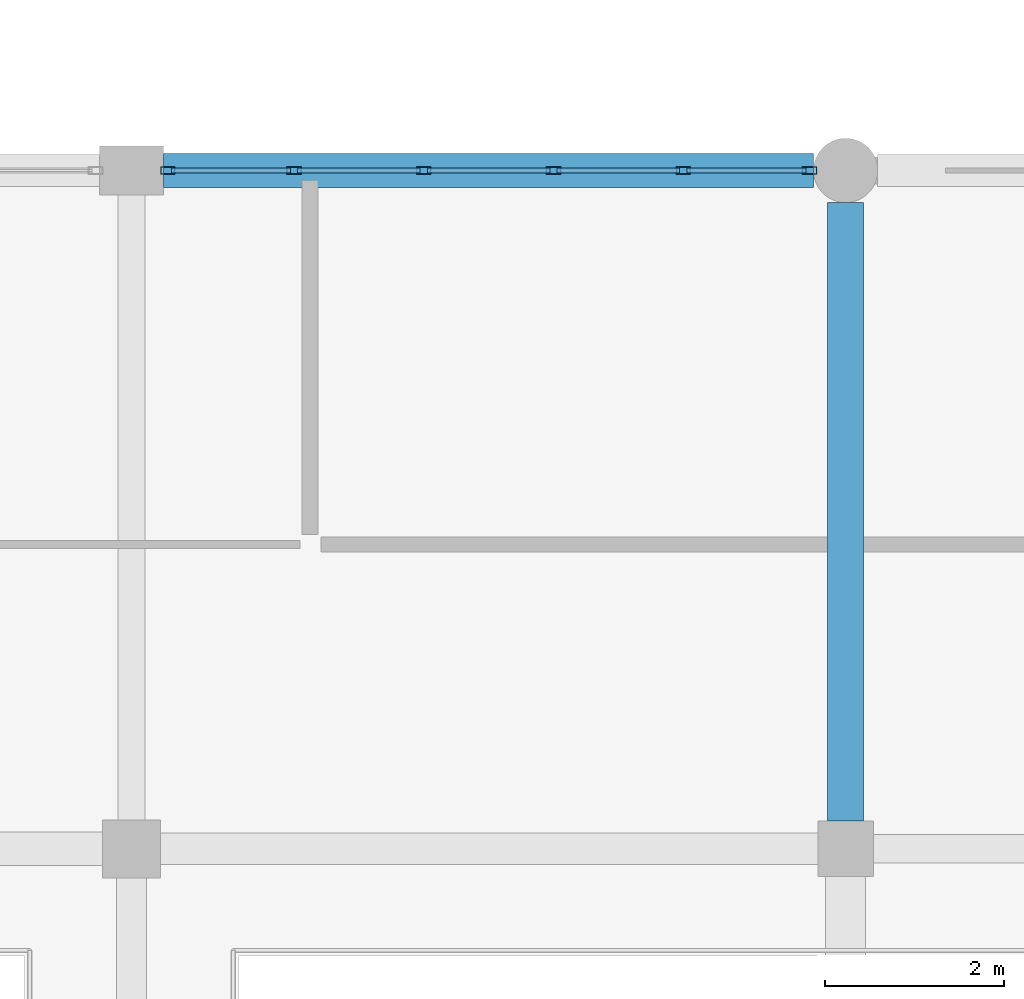
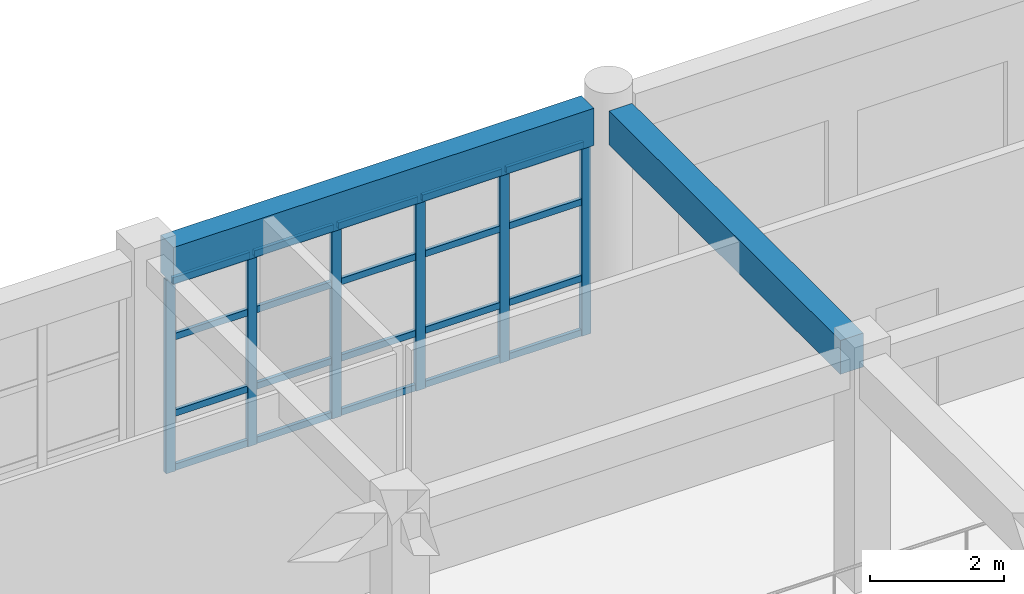
# One storey, part 44 of 160: 26 members, 2 beams, 1 element without a shape of its own.
"""IFC4 building model written with IfcOpenShell, lengths in metres."""

from ifc_helpers import new_model, si_unit, direction, frame, origin, origin_2d, place, context, subcontext, project, spatial, rectangle, hollow_rectangle, extrude, material, material_profile, profile_set, type_object, element, aggregate, save


model = new_model("IFC4")

# Units and contexts
model_context = context("Model", 3, precision=1e-05, world=origin(), true_north=direction((0.0, 1.0)))
body_context = subcontext(model_context, "Body", "Model", "MODEL_VIEW")
ifc_project = project(units=[si_unit("LENGTHUNIT", "METRE"), si_unit("AREAUNIT", "SQUARE_METRE"), si_unit("VOLUMEUNIT", "CUBIC_METRE"), si_unit("PLANEANGLEUNIT", "RADIAN"), si_unit("MASSUNIT", "GRAM", prefix="KILO")], contexts=[model_context])

# Site, building, storey
site_placement = place(None, origin())
site = spatial("IfcSite", under=ifc_project, at=site_placement, CompositionType="ELEMENT")
building_placement = place(site_placement, origin())
building = spatial("IfcBuilding", under=site, at=building_placement, Name="Kharva Crest Polytechnic", CompositionType="ELEMENT")
storey_placement = place(building_placement, frame((0.0, 0.0, 4.5)))
storey = spatial("IfcBuildingStorey", under=building, at=storey_placement, Name="L01", CompositionType="ELEMENT", Elevation=4.5)

# Beam
ifc_material_1 = material(Name="Concrete C35/45", Category="concrete")
ifc_material_profile_1 = material_profile(ifc_material_1, rectangle(XDim=0.39990234375, YDim=0.6201171875, at=origin_2d()), Name="RECT 400 X 620")
ifc_profile_set_1 = profile_set([ifc_material_profile_1], Name="Concrete C35/45")
beam_type_1 = type_object("IfcBeamType", Name="BM-RC-400X620", PredefinedType="BEAM", material=ifc_profile_set_1)
beam_1_placement = place(storey_placement, frame((24.0, 23.110107421875, 3.909912109375), z_axis=(0.0, 1.0, 0.0), x_axis=(-1.0, 0.0, 0.0)))
element("IfcBeam", 1, at=beam_1_placement, inside=storey, type_object=beam_type_1, Name="L01 Girder 4/D-E", PredefinedType="BEAM", context=body_context, shape_type="SweptSolid", body=[
    extrude(rectangle(XDim=0.39990234375, YDim=0.6201171875, at=origin_2d()), origin(), (0.0, 0.0, 1.0), 6.929931640625),
])

# Curtain wall, members
ifc_material_2 = material(Name="Tempered insulated glass", Category="glass")
curtain_wall_type = type_object("IfcCurtainWallType", Name="CW-SYS-COURT", PredefinedType="USERDEFINED", material=ifc_material_2)
curtain_wall_placement = place(storey_placement, origin())
curtain_wall = element("IfcCurtainWall", 2, at=curtain_wall_placement, inside=storey, type_object=curtain_wall_type, Name="L01 Glazed Curtain Wall CW-038", ObjectType="CURTAIN WALL", PredefinedType="USERDEFINED")
ifc_material_3 = material(Name="Steel S355", Category="steel")
ifc_material_profile_2 = material_profile(ifc_material_3, hollow_rectangle(XDim=0.080078125, YDim=0.159912109375, WallThickness=0.0048828125, at=origin_2d()), Name="RHS 160X80X5.0")
ifc_profile_set_2 = profile_set([ifc_material_profile_2], Name="Steel S355")
member_type_1 = type_object("IfcMemberType", Name="CWM-RHS160X80", PredefinedType="MULLION", material=ifc_profile_set_2)
member_1_placement = place(storey_placement, frame((23.594970703125, 30.39990234375, 0.0), z_axis=(0.0, 0.0, 1.0), x_axis=(0.0, -1.0, 0.0)))
member_1 = element("IfcMember", 3, at=member_1_placement, type_object=member_type_1, Name="CW-038 mullion 1", PredefinedType="MULLION", context=body_context, shape_type="SweptSolid", body=[
    extrude(hollow_rectangle(XDim=0.080078125, YDim=0.159912109375, WallThickness=0.0048828125, at=origin_2d()), origin(), (0.0, 0.0, 1.0), 3.5400390625),
])
member_2_placement = place(storey_placement, frame((22.180908203125, 30.39990234375, 0.0), z_axis=(0.0, 0.0, 1.0), x_axis=(0.0, -1.0, 0.0)))
member_2 = element("IfcMember", 4, at=member_2_placement, type_object=member_type_1, Name="CW-038 mullion 2", PredefinedType="MULLION", context=body_context, shape_type="SweptSolid", body=[
    extrude(hollow_rectangle(XDim=0.080078125, YDim=0.159912109375, WallThickness=0.0048828125, at=origin_2d()), origin(), (0.0, 0.0, 1.0), 3.5400390625),
])
member_3_placement = place(storey_placement, frame((20.72705078125, 30.39990234375, 0.0), z_axis=(0.0, 0.0, 1.0), x_axis=(0.0, -1.0, 0.0)))
member_3 = element("IfcMember", 5, at=member_3_placement, type_object=member_type_1, Name="CW-038 mullion 3", PredefinedType="MULLION", context=body_context, shape_type="SweptSolid", body=[
    extrude(hollow_rectangle(XDim=0.080078125, YDim=0.159912109375, WallThickness=0.0048828125, at=origin_2d()), origin(), (0.0, 0.0, 1.0), 3.5400390625),
])
member_4_placement = place(storey_placement, frame((19.27294921875, 30.39990234375, 0.0), z_axis=(0.0, 0.0, 1.0), x_axis=(0.0, -1.0, 0.0)))
member_4 = element("IfcMember", 6, at=member_4_placement, type_object=member_type_1, Name="CW-038 mullion 4", PredefinedType="MULLION", context=body_context, shape_type="SweptSolid", body=[
    extrude(hollow_rectangle(XDim=0.080078125, YDim=0.159912109375, WallThickness=0.0048828125, at=origin_2d()), origin(), (0.0, 0.0, 1.0), 3.5400390625),
])
member_5_placement = place(storey_placement, frame((17.819091796875, 30.39990234375, 0.0), z_axis=(0.0, 0.0, 1.0), x_axis=(0.0, -1.0, 0.0)))
member_5 = element("IfcMember", 7, at=member_5_placement, type_object=member_type_1, Name="CW-038 mullion 5", PredefinedType="MULLION", context=body_context, shape_type="SweptSolid", body=[
    extrude(hollow_rectangle(XDim=0.080078125, YDim=0.159912109375, WallThickness=0.0048828125, at=origin_2d()), origin(), (0.0, 0.0, 1.0), 3.5400390625),
])
member_6_placement = place(storey_placement, frame((16.405029296875, 30.39990234375, 0.0), z_axis=(0.0, 0.0, 1.0), x_axis=(0.0, -1.0, 0.0)))
member_6 = element("IfcMember", 8, at=member_6_placement, type_object=member_type_1, Name="CW-038 mullion 6", PredefinedType="MULLION", context=body_context, shape_type="SweptSolid", body=[
    extrude(hollow_rectangle(XDim=0.080078125, YDim=0.159912109375, WallThickness=0.0048828125, at=origin_2d()), origin(), (0.0, 0.0, 1.0), 3.5400390625),
])
ifc_material_profile_3 = material_profile(ifc_material_3, hollow_rectangle(XDim=0.06005859375, YDim=0.1201171875, WallThickness=0.00390625, at=origin_2d()), Name="RHS 120X60X4.0")
ifc_profile_set_3 = profile_set([ifc_material_profile_3], Name="Steel S355")
member_type_2 = type_object("IfcMemberType", Name="CWT-RHS120X60", PredefinedType="USERDEFINED", material=ifc_profile_set_3)
member_7_placement = place(storey_placement, frame((23.554931640625, 30.39990234375, 0.06005859375), z_axis=(-1.0, 0.0, 0.0), x_axis=(0.0, -1.0, 0.0)))
member_7 = element("IfcMember", 9, at=member_7_placement, type_object=member_type_2, Name="CW-038 transom 1.1", ObjectType="TRANSOM", PredefinedType="USERDEFINED", context=body_context, shape_type="SweptSolid", body=[
    extrude(hollow_rectangle(XDim=0.06005859375, YDim=0.1201171875, WallThickness=0.00390625, at=origin_2d()), origin(), (0.0, 0.0, 1.0), 1.333984375),
])
member_8_placement = place(storey_placement, frame((23.554931640625, 30.39990234375, 1.050048828125), z_axis=(-1.0, 0.0, 0.0), x_axis=(0.0, -1.0, 0.0)))
member_8 = element("IfcMember", 10, at=member_8_placement, type_object=member_type_2, Name="CW-038 transom 1.2", ObjectType="TRANSOM", PredefinedType="USERDEFINED", context=body_context, shape_type="SweptSolid", body=[
    extrude(hollow_rectangle(XDim=0.06005859375, YDim=0.1201171875, WallThickness=0.00390625, at=origin_2d()), origin(), (0.0, 0.0, 1.0), 1.333984375),
])
member_9_placement = place(storey_placement, frame((23.554931640625, 30.39990234375, 2.449951171875), z_axis=(-1.0, 0.0, 0.0), x_axis=(0.0, -1.0, 0.0)))
member_9 = element("IfcMember", 11, at=member_9_placement, type_object=member_type_2, Name="CW-038 transom 1.3", ObjectType="TRANSOM", PredefinedType="USERDEFINED", context=body_context, shape_type="SweptSolid", body=[
    extrude(hollow_rectangle(XDim=0.06005859375, YDim=0.1201171875, WallThickness=0.00390625, at=origin_2d()), origin(), (0.0, 0.0, 1.0), 1.333984375),
])
member_10_placement = place(storey_placement, frame((23.554931640625, 30.39990234375, 3.47998046875), z_axis=(-1.0, 0.0, 0.0), x_axis=(0.0, -1.0, 0.0)))
member_10 = element("IfcMember", 12, at=member_10_placement, type_object=member_type_2, Name="CW-038 transom 1.4", ObjectType="TRANSOM", PredefinedType="USERDEFINED", context=body_context, shape_type="SweptSolid", body=[
    extrude(hollow_rectangle(XDim=0.06005859375, YDim=0.1201171875, WallThickness=0.00390625, at=origin_2d()), origin(), (0.0, 0.0, 1.0), 1.333984375),
])
member_11_placement = place(storey_placement, frame((22.14111328125, 30.39990234375, 0.06005859375), z_axis=(-1.0, 0.0, 0.0), x_axis=(0.0, -1.0, 0.0)))
member_11 = element("IfcMember", 13, at=member_11_placement, type_object=member_type_2, Name="CW-038 transom 2.1", ObjectType="TRANSOM", PredefinedType="USERDEFINED", context=body_context, shape_type="SweptSolid", body=[
    extrude(hollow_rectangle(XDim=0.06005859375, YDim=0.1201171875, WallThickness=0.00390625, at=origin_2d()), origin(), (0.0, 0.0, 1.0), 1.3740234375),
])
member_12_placement = place(storey_placement, frame((22.14111328125, 30.39990234375, 1.050048828125), z_axis=(-1.0, 0.0, 0.0), x_axis=(0.0, -1.0, 0.0)))
member_12 = element("IfcMember", 14, at=member_12_placement, type_object=member_type_2, Name="CW-038 transom 2.2", ObjectType="TRANSOM", PredefinedType="USERDEFINED", context=body_context, shape_type="SweptSolid", body=[
    extrude(hollow_rectangle(XDim=0.06005859375, YDim=0.1201171875, WallThickness=0.00390625, at=origin_2d()), origin(), (0.0, 0.0, 1.0), 1.3740234375),
])
member_13_placement = place(storey_placement, frame((22.14111328125, 30.39990234375, 2.449951171875), z_axis=(-1.0, 0.0, 0.0), x_axis=(0.0, -1.0, 0.0)))
member_13 = element("IfcMember", 15, at=member_13_placement, type_object=member_type_2, Name="CW-038 transom 2.3", ObjectType="TRANSOM", PredefinedType="USERDEFINED", context=body_context, shape_type="SweptSolid", body=[
    extrude(hollow_rectangle(XDim=0.06005859375, YDim=0.1201171875, WallThickness=0.00390625, at=origin_2d()), origin(), (0.0, 0.0, 1.0), 1.3740234375),
])
member_14_placement = place(storey_placement, frame((22.14111328125, 30.39990234375, 3.47998046875), z_axis=(-1.0, 0.0, 0.0), x_axis=(0.0, -1.0, 0.0)))
member_14 = element("IfcMember", 16, at=member_14_placement, type_object=member_type_2, Name="CW-038 transom 2.4", ObjectType="TRANSOM", PredefinedType="USERDEFINED", context=body_context, shape_type="SweptSolid", body=[
    extrude(hollow_rectangle(XDim=0.06005859375, YDim=0.1201171875, WallThickness=0.00390625, at=origin_2d()), origin(), (0.0, 0.0, 1.0), 1.3740234375),
])
member_15_placement = place(storey_placement, frame((20.68701171875, 30.39990234375, 0.06005859375), z_axis=(-1.0, 0.0, 0.0), x_axis=(0.0, -1.0, 0.0)))
member_15 = element("IfcMember", 17, at=member_15_placement, type_object=member_type_2, Name="CW-038 transom 3.1", ObjectType="TRANSOM", PredefinedType="USERDEFINED", context=body_context, shape_type="SweptSolid", body=[
    extrude(hollow_rectangle(XDim=0.06005859375, YDim=0.1201171875, WallThickness=0.00390625, at=origin_2d()), origin(), (0.0, 0.0, 1.0), 1.3740234375),
])
member_16_placement = place(storey_placement, frame((20.68701171875, 30.39990234375, 1.050048828125), z_axis=(-1.0, 0.0, 0.0), x_axis=(0.0, -1.0, 0.0)))
member_16 = element("IfcMember", 18, at=member_16_placement, type_object=member_type_2, Name="CW-038 transom 3.2", ObjectType="TRANSOM", PredefinedType="USERDEFINED", context=body_context, shape_type="SweptSolid", body=[
    extrude(hollow_rectangle(XDim=0.06005859375, YDim=0.1201171875, WallThickness=0.00390625, at=origin_2d()), origin(), (0.0, 0.0, 1.0), 1.3740234375),
])
member_17_placement = place(storey_placement, frame((20.68701171875, 30.39990234375, 2.449951171875), z_axis=(-1.0, 0.0, 0.0), x_axis=(0.0, -1.0, 0.0)))
member_17 = element("IfcMember", 19, at=member_17_placement, type_object=member_type_2, Name="CW-038 transom 3.3", ObjectType="TRANSOM", PredefinedType="USERDEFINED", context=body_context, shape_type="SweptSolid", body=[
    extrude(hollow_rectangle(XDim=0.06005859375, YDim=0.1201171875, WallThickness=0.00390625, at=origin_2d()), origin(), (0.0, 0.0, 1.0), 1.3740234375),
])
member_18_placement = place(storey_placement, frame((20.68701171875, 30.39990234375, 3.47998046875), z_axis=(-1.0, 0.0, 0.0), x_axis=(0.0, -1.0, 0.0)))
member_18 = element("IfcMember", 20, at=member_18_placement, type_object=member_type_2, Name="CW-038 transom 3.4", ObjectType="TRANSOM", PredefinedType="USERDEFINED", context=body_context, shape_type="SweptSolid", body=[
    extrude(hollow_rectangle(XDim=0.06005859375, YDim=0.1201171875, WallThickness=0.00390625, at=origin_2d()), origin(), (0.0, 0.0, 1.0), 1.3740234375),
])
member_19_placement = place(storey_placement, frame((19.23291015625, 30.39990234375, 0.06005859375), z_axis=(-1.0, 0.0, 0.0), x_axis=(0.0, -1.0, 0.0)))
member_19 = element("IfcMember", 21, at=member_19_placement, type_object=member_type_2, Name="CW-038 transom 4.1", ObjectType="TRANSOM", PredefinedType="USERDEFINED", context=body_context, shape_type="SweptSolid", body=[
    extrude(hollow_rectangle(XDim=0.06005859375, YDim=0.1201171875, WallThickness=0.00390625, at=origin_2d()), origin(), (0.0, 0.0, 1.0), 1.3740234375),
])
member_20_placement = place(storey_placement, frame((19.23291015625, 30.39990234375, 1.050048828125), z_axis=(-1.0, 0.0, 0.0), x_axis=(0.0, -1.0, 0.0)))
member_20 = element("IfcMember", 22, at=member_20_placement, type_object=member_type_2, Name="CW-038 transom 4.2", ObjectType="TRANSOM", PredefinedType="USERDEFINED", context=body_context, shape_type="SweptSolid", body=[
    extrude(hollow_rectangle(XDim=0.06005859375, YDim=0.1201171875, WallThickness=0.00390625, at=origin_2d()), origin(), (0.0, 0.0, 1.0), 1.3740234375),
])
member_21_placement = place(storey_placement, frame((19.23291015625, 30.39990234375, 2.449951171875), z_axis=(-1.0, 0.0, 0.0), x_axis=(0.0, -1.0, 0.0)))
member_21 = element("IfcMember", 23, at=member_21_placement, type_object=member_type_2, Name="CW-038 transom 4.3", ObjectType="TRANSOM", PredefinedType="USERDEFINED", context=body_context, shape_type="SweptSolid", body=[
    extrude(hollow_rectangle(XDim=0.06005859375, YDim=0.1201171875, WallThickness=0.00390625, at=origin_2d()), origin(), (0.0, 0.0, 1.0), 1.3740234375),
])
member_22_placement = place(storey_placement, frame((19.23291015625, 30.39990234375, 3.47998046875), z_axis=(-1.0, 0.0, 0.0), x_axis=(0.0, -1.0, 0.0)))
member_22 = element("IfcMember", 24, at=member_22_placement, type_object=member_type_2, Name="CW-038 transom 4.4", ObjectType="TRANSOM", PredefinedType="USERDEFINED", context=body_context, shape_type="SweptSolid", body=[
    extrude(hollow_rectangle(XDim=0.06005859375, YDim=0.1201171875, WallThickness=0.00390625, at=origin_2d()), origin(), (0.0, 0.0, 1.0), 1.3740234375),
])
member_23_placement = place(storey_placement, frame((17.779052734375, 30.39990234375, 0.06005859375), z_axis=(-1.0, 0.0, 0.0), x_axis=(0.0, -1.0, 0.0)))
member_23 = element("IfcMember", 25, at=member_23_placement, type_object=member_type_2, Name="CW-038 transom 5.1", ObjectType="TRANSOM", PredefinedType="USERDEFINED", context=body_context, shape_type="SweptSolid", body=[
    extrude(hollow_rectangle(XDim=0.06005859375, YDim=0.1201171875, WallThickness=0.00390625, at=origin_2d()), origin(), (0.0, 0.0, 1.0), 1.333984375),
])
member_24_placement = place(storey_placement, frame((17.779052734375, 30.39990234375, 1.050048828125), z_axis=(-1.0, 0.0, 0.0), x_axis=(0.0, -1.0, 0.0)))
member_24 = element("IfcMember", 26, at=member_24_placement, type_object=member_type_2, Name="CW-038 transom 5.2", ObjectType="TRANSOM", PredefinedType="USERDEFINED", context=body_context, shape_type="SweptSolid", body=[
    extrude(hollow_rectangle(XDim=0.06005859375, YDim=0.1201171875, WallThickness=0.00390625, at=origin_2d()), origin(), (0.0, 0.0, 1.0), 1.333984375),
])
member_25_placement = place(storey_placement, frame((17.779052734375, 30.39990234375, 2.449951171875), z_axis=(-1.0, 0.0, 0.0), x_axis=(0.0, -1.0, 0.0)))
member_25 = element("IfcMember", 27, at=member_25_placement, type_object=member_type_2, Name="CW-038 transom 5.3", ObjectType="TRANSOM", PredefinedType="USERDEFINED", context=body_context, shape_type="SweptSolid", body=[
    extrude(hollow_rectangle(XDim=0.06005859375, YDim=0.1201171875, WallThickness=0.00390625, at=origin_2d()), origin(), (0.0, 0.0, 1.0), 1.333984375),
])
member_26_placement = place(storey_placement, frame((17.779052734375, 30.39990234375, 3.47998046875), z_axis=(-1.0, 0.0, 0.0), x_axis=(0.0, -1.0, 0.0)))
member_26 = element("IfcMember", 28, at=member_26_placement, type_object=member_type_2, Name="CW-038 transom 5.4", ObjectType="TRANSOM", PredefinedType="USERDEFINED", context=body_context, shape_type="SweptSolid", body=[
    extrude(hollow_rectangle(XDim=0.06005859375, YDim=0.1201171875, WallThickness=0.00390625, at=origin_2d()), origin(), (0.0, 0.0, 1.0), 1.333984375),
])
aggregate(curtain_wall, [member_1, member_2, member_3, member_4, member_5, member_6, member_7, member_8, member_9, member_10, member_11, member_12, member_13, member_14, member_15, member_16, member_17, member_18, member_19, member_20, member_21, member_22, member_23, member_24, member_25, member_26])

# Beam
ifc_material_profile_4 = material_profile(ifc_material_1, rectangle(XDim=0.3798828125, YDim=0.679931640625, at=origin_2d()), Name="RECT 380 X 680")
ifc_profile_set_4 = profile_set([ifc_material_profile_4], Name="Concrete C35/45")
beam_type_2 = type_object("IfcBeamType", Name="SP-RC-380X680", PredefinedType="SPANDREL", material=ifc_profile_set_4)
beam_2_placement = place(storey_placement, frame((16.360107421875, 30.39990234375, 3.8798828125), z_axis=(1.0, 0.0, 0.0), x_axis=(0.0, 1.0, 0.0)))
element("IfcBeam", 29, at=beam_2_placement, inside=storey, type_object=beam_type_2, Name="L01 Beam E/3-4", PredefinedType="SPANDREL", context=body_context, shape_type="SweptSolid", body=[
    extrude(rectangle(XDim=0.3798828125, YDim=0.679931640625, at=origin_2d()), origin(), (0.0, 0.0, 1.0), 7.27978515625),
])

save(model, "model.ifc")
